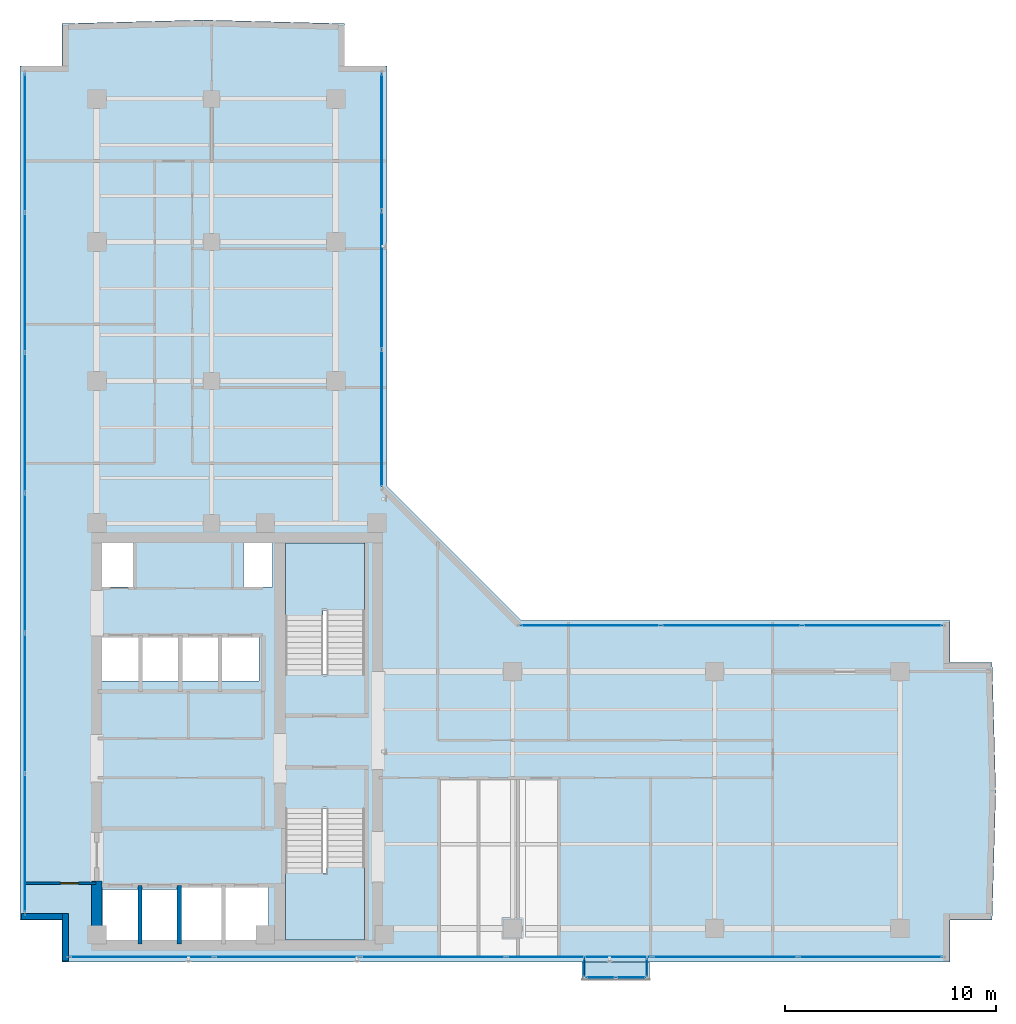
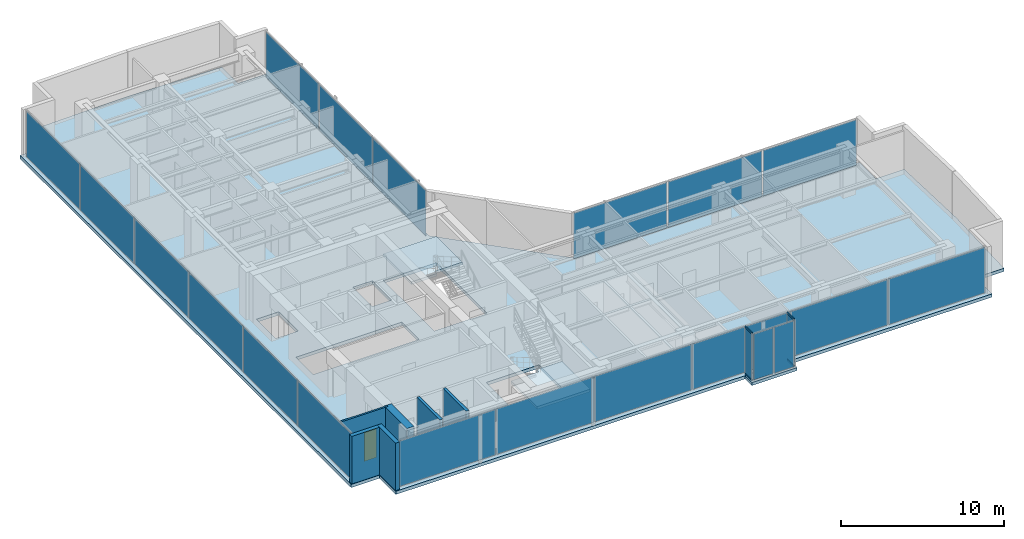
# One storey, part 16 of 22: 22 plates, 6 walls, 4 members, 4 slabs, 1 door, 1 opening, 9 elements without a shape of their own.
"""IFC4 building model written with IfcOpenShell, lengths in metres."""

from ifc_helpers import new_model, si_unit, direction, frame, frame_2d, origin, origin_with_axes, origin_2d, place, context, subcontext, project, spatial, polyline, rectangle, hollow_rectangle, outline, extrude, source, transform, mapped, material, layer, layer_set, material_profile, profile_set, type_object, element, fill, aggregate, save


model = new_model("IFC4")

# Units and contexts
model_context = context("Model", 3, precision=1e-05, world=origin(), true_north=direction((0.0, 1.0)))
body_context = subcontext(model_context, "Body", "Model", "MODEL_VIEW")
ifc_project = project(units=[si_unit("LENGTHUNIT", "METRE"), si_unit("AREAUNIT", "SQUARE_METRE"), si_unit("VOLUMEUNIT", "CUBIC_METRE"), si_unit("PLANEANGLEUNIT", "RADIAN"), si_unit("MASSUNIT", "GRAM", prefix="KILO")], contexts=[model_context])

# Site, building, storey
site_placement = place(None, origin())
site = spatial("IfcSite", under=ifc_project, at=site_placement, CompositionType="ELEMENT")
building_placement = place(site_placement, origin())
building = spatial("IfcBuilding", under=site, at=building_placement, Name="Kolvaren Waterfront Exchange", CompositionType="ELEMENT")
storey_placement = place(building_placement, frame((0.0, 0.0, 327.39990234375)))
storey = spatial("IfcBuildingStorey", under=building, at=storey_placement, Name="L84", CompositionType="ELEMENT", Elevation=327.39990234375)

# Curtain wall, members
ifc_material_1 = material(Name="Anodised bronze aluminium 6063-T6", Category="aluminium")
ifc_layer_1 = layer(ifc_material_1, 0.219970703125, Name="Anodised bronze aluminium 6063-T6")
ifc_layer_set_1 = layer_set([ifc_layer_1], Name="Anodised bronze aluminium 6063-T6")
curtain_wall_type_1 = type_object("IfcCurtainWallType", Name="ARC-CW-SYS3", PredefinedType="USERDEFINED", material=ifc_layer_set_1)
curtain_wall_1_placement = place(storey_placement, origin())
curtain_wall_1 = element("IfcCurtainWall", 1, at=curtain_wall_1_placement, inside=storey, type_object=curtain_wall_type_1, Name="L84 stick curtain wall CW3 (CW-L84-BOX-W)", ObjectType="STICK CURTAIN WALL", PredefinedType="USERDEFINED")
ifc_material_profile = material_profile(ifc_material_1, hollow_rectangle(XDim=0.06494140625, YDim=0.1298828125, WallThickness=0.00390625, at=origin_2d()), Name="ALU-TRN-130x65x4")
ifc_profile_set = profile_set([ifc_material_profile], Name="Anodised bronze aluminium 6063-T6")
member_type = type_object("IfcMemberType", Name="ARC-CWT-130", PredefinedType="USERDEFINED", material=ifc_profile_set)
shared_shape_1 = source(origin_with_axes(), body_context, "Body", "SweptSolid", [
    extrude(hollow_rectangle(XDim=0.06494140625, YDim=0.1298828125, WallThickness=0.00390625, at=origin_2d()), origin(), (0.0, 0.0, 1.0), 0.829833984375),
])
member_1_placement = place(storey_placement, frame((30.610107421875, 3.764892578125, 0.03271484375), z_axis=(0.0, -1.0, 0.0), x_axis=(1.0, 0.0, 0.0)))
member_1 = element("IfcMember", 2, at=member_1_placement, type_object=member_type, Name="CW3 transom 1.1", ObjectType="TRANSOM", PredefinedType="USERDEFINED", context=body_context, shape_type="MappedRepresentation", body=[
    mapped(shared_shape_1, transform((0.0, 0.0, 0.0), x_axis=(1.0, 0.0, 0.0), y_axis=(0.0, 1.0, 0.0), z_axis=(0.0, 0.0, 1.0), scale=1.0)),
])
member_2_placement = place(storey_placement, frame((30.610107421875, 3.764892578125, 3.527587890625), z_axis=(0.0, -1.0, 0.0), x_axis=(1.0, 0.0, 0.0)))
member_2 = element("IfcMember", 3, at=member_2_placement, type_object=member_type, Name="CW3 transom 1.2", ObjectType="TRANSOM", PredefinedType="USERDEFINED", context=body_context, shape_type="MappedRepresentation", body=[
    mapped(shared_shape_1, transform((0.0, 0.0, 0.0), x_axis=(1.0, 0.0, 0.0), y_axis=(0.0, 1.0, 0.0), z_axis=(0.0, 0.0, 1.0), scale=1.0)),
])

curtain_wall_2_placement = place(storey_placement, origin())
curtain_wall_2 = element("IfcCurtainWall", 4, at=curtain_wall_2_placement, inside=storey, type_object=curtain_wall_type_1, Name="L84 stick curtain wall CW3 (CW-L84-BOX-E)", ObjectType="STICK CURTAIN WALL", PredefinedType="USERDEFINED")
member_3_placement = place(storey_placement, frame((33.590087890625, 2.93505859375, 0.03271484375), z_axis=(0.0, 1.0, 0.0), x_axis=(-1.0, 0.0, 0.0)))
member_3 = element("IfcMember", 5, at=member_3_placement, type_object=member_type, Name="CW3 transom 1.1", ObjectType="TRANSOM", PredefinedType="USERDEFINED", context=body_context, shape_type="MappedRepresentation", body=[
    mapped(shared_shape_1, transform((0.0, 0.0, 0.0), x_axis=(1.0, 0.0, 0.0), y_axis=(0.0, 1.0, 0.0), z_axis=(0.0, 0.0, 1.0), scale=1.0)),
])
member_4_placement = place(storey_placement, frame((33.590087890625, 2.93505859375, 3.527587890625), z_axis=(0.0, 1.0, 0.0), x_axis=(-1.0, 0.0, 0.0)))
member_4 = element("IfcMember", 6, at=member_4_placement, type_object=member_type, Name="CW3 transom 1.2", ObjectType="TRANSOM", PredefinedType="USERDEFINED", context=body_context, shape_type="MappedRepresentation", body=[
    mapped(shared_shape_1, transform((0.0, 0.0, 0.0), x_axis=(1.0, 0.0, 0.0), y_axis=(0.0, 1.0, 0.0), z_axis=(0.0, 0.0, 1.0), scale=1.0)),
])

# Stair, slab
ifc_material_2 = material(Name="Concrete C40/50", Category="concrete")
stair_type = type_object("IfcStairType", Name="ARC-STAIR-3800", PredefinedType="HALF_TURN_STAIR", material=ifc_material_2)
stair_1_placement = place(storey_placement, origin())
stair_1 = element("IfcStair", 7, at=stair_1_placement, inside=storey, type_object=stair_type, Name="L84 Smoke-proof exit stair ST1", PredefinedType="HALF_TURN_STAIR")
ifc_layer_2 = layer(ifc_material_2, 0.199951171875, Name="Concrete C40/50")
ifc_layer_set_2 = layer_set([ifc_layer_2], Name="Concrete C40/50")
slab_type_1 = type_object("IfcSlabType", Name="STR-LANDING-200", PredefinedType="LANDING", material=ifc_layer_set_2)
slab_1_placement = place(storey_placement, frame((0.0, 0.0, 1.776123046875)))
slab_1 = element("IfcSlab", 8, at=slab_1_placement, type_object=slab_type_1, Name="ST1 landing 1", PredefinedType="LANDING", context=body_context, shape_type="SweptSolid", body=[
    extrude(outline(polyline([(16.39990234375, 7.840087890625), (16.39990234375, 4.64990234375), (20.159912109375, 4.64990234375), (20.159912109375, 8.10009765625), (18.360107421875, 8.10009765625), (18.360107421875, 7.840087890625), (16.39990234375, 7.840087890625)])), origin(), (0.0, 0.0, 1.0), 0.199951171875),
])
aggregate(stair_1, [slab_1])

stair_2_placement = place(storey_placement, origin())
stair_2 = element("IfcStair", 9, at=stair_2_placement, inside=storey, type_object=stair_type, Name="L84 Smoke-proof exit stair ST2", PredefinedType="HALF_TURN_STAIR")
slab_2_placement = place(storey_placement, frame((0.0, 0.0, 1.776123046875)))
slab_2 = element("IfcSlab", 10, at=slab_2_placement, type_object=slab_type_1, Name="ST2 landing 1", PredefinedType="LANDING", context=body_context, shape_type="SweptSolid", body=[
    extrude(outline(polyline([(20.159912109375, 20.31005859375), (20.159912109375, 23.5), (16.39990234375, 23.5), (16.39990234375, 20.050048828125), (18.199951171875, 20.050048828125), (18.199951171875, 20.31005859375), (20.159912109375, 20.31005859375)])), origin(), (0.0, 0.0, 1.0), 0.199951171875),
])
aggregate(stair_2, [slab_2])

# Slabs
ifc_layer_3 = layer(ifc_material_2, 0.239990234375, Name="Concrete C40/50")
ifc_layer_set_3 = layer_set([ifc_layer_3], Name="Concrete C40/50")
slab_type_2 = type_object("IfcSlabType", Name="STR-SLAB-240", PredefinedType="FLOOR", material=ifc_layer_set_3)
slab_3_placement = place(storey_placement, frame((0.0, 0.0, -0.239990234375)))
element("IfcSlab", 11, at=slab_3_placement, inside=storey, type_object=slab_type_2, Name="L84 structural floor slab", PredefinedType="FLOOR", context=body_context, shape_type="SweptSolid", body=[
    extrude(outline(polyline([(5.800048828125, 3.60009765625), (47.9736328125, 3.60009765625), (47.9736328125, 5.60009765625), (49.9736328125, 5.60009765625), (50.1474609375, 11.71044921875), (49.9736328125, 17.821044921875), (47.9736328125, 17.821044921875), (47.9736328125, 19.821044921875), (27.62109375, 19.821044921875), (21.22119140625, 26.22119140625), (21.22119140625, 46.173583984375), (19.22119140625, 46.173583984375), (19.22119140625, 48.173583984375), (12.510498046875, 48.347412109375), (5.800048828125, 48.173583984375), (5.800048828125, 46.173583984375), (3.800048828125, 46.173583984375), (3.800048828125, 5.60009765625), (5.800048828125, 5.60009765625), (5.800048828125, 3.60009765625)]), holes=[polyline([(11.320068359375, 7.260009765625), (15.610107421875, 7.260009765625), (15.610107421875, 4.5400390625), (7.719970703125, 4.5400390625), (7.719970703125, 7.06005859375), (11.320068359375, 7.06005859375), (11.320068359375, 7.260009765625)]), polyline([(20.159912109375, 10.89990234375), (20.159912109375, 4.64990234375), (16.39990234375, 4.64990234375), (16.39990234375, 10.89990234375), (20.159912109375, 10.89990234375)]), polyline([(7.669921875, 19.06005859375), (15.159912109375, 19.06005859375), (15.159912109375, 16.93994140625), (7.669921875, 16.93994140625), (7.669921875, 19.06005859375)]), polyline([(16.39990234375, 17.25), (16.39990234375, 23.5), (20.159912109375, 23.5), (20.159912109375, 17.25), (16.39990234375, 17.25)]), polyline([(7.60009765625, 23.780029296875), (9.179931640625, 23.780029296875), (9.179931640625, 21.419921875), (7.60009765625, 21.419921875), (7.60009765625, 23.780029296875)]), polyline([(14.419921875, 23.780029296875), (15.800048828125, 23.780029296875), (15.800048828125, 21.419921875), (14.419921875, 21.419921875), (14.419921875, 23.780029296875)])]), origin(), (0.0, 0.0, 1.0), 0.239990234375),
])
ifc_layer_4 = layer(ifc_material_2, 0.219970703125, Name="Concrete C40/50")
ifc_layer_set_4 = layer_set([ifc_layer_4], Name="Concrete C40/50")
slab_type_3 = type_object("IfcSlabType", Name="STR-TERR-220", PredefinedType="FLOOR", material=ifc_layer_set_4)
slab_4_placement = place(storey_placement, frame((0.0, 0.0, -0.219970703125)))
element("IfcSlab", 12, at=slab_4_placement, inside=storey, type_object=slab_type_3, Name="L84 projecting bay-box floor strip", PredefinedType="FLOOR", context=body_context, shape_type="SweptSolid", body=[
    extrude(outline(polyline([(30.5, 2.75), (33.699951171875, 2.75), (33.699951171875, 3.60009765625), (30.5, 3.60009765625), (30.5, 2.75)])), origin(), (0.0, 0.0, 1.0), 0.219970703125),
])

# Plate
ifc_material_3 = material(Name="Bronze tinted bay-box vision glass", Category="aluminium")
ifc_layer_5 = layer(ifc_material_3, 0.02392578125, Name="Bronze tinted bay-box vision glass")
ifc_layer_set_5 = layer_set([ifc_layer_5], Name="Bronze tinted bay-box vision glass")
plate_type_1 = type_object("IfcPlateType", Name="ARC-CWP-24", PredefinedType="CURTAIN_PANEL", material=ifc_layer_set_5)
shared_shape_2 = source(origin_with_axes(), body_context, "Body", "SweptSolid", [
    extrude(rectangle(XDim=0.830078125, YDim=0.02392578125, at=origin_2d()), origin(), (0.0, 0.0, 1.0), 3.429931640625),
])
plate_1_placement = place(storey_placement, frame((30.610107421875, 3.35009765625, 0.06494140625), z_axis=(0.0, 0.0, 1.0), x_axis=(0.0, -1.0, 0.0)))
plate_1 = element("IfcPlate", 13, at=plate_1_placement, type_object=plate_type_1, Name="CW3 panel 1.1", PredefinedType="CURTAIN_PANEL", context=body_context, shape_type="MappedRepresentation", body=[
    mapped(shared_shape_2, transform((0.0, 0.0, 0.0), x_axis=(1.0, 0.0, 0.0), y_axis=(0.0, 1.0, 0.0), z_axis=(0.0, 0.0, 1.0), scale=1.0)),
])

aggregate(curtain_wall_1, [member_1, member_2, plate_1])

plate_2_placement = place(storey_placement, frame((33.590087890625, 3.35009765625, 0.06494140625), z_axis=(0.0, 0.0, 1.0), x_axis=(0.0, 1.0, 0.0)))
plate_2 = element("IfcPlate", 14, at=plate_2_placement, type_object=plate_type_1, Name="CW3 panel 1.1", PredefinedType="CURTAIN_PANEL", context=body_context, shape_type="MappedRepresentation", body=[
    mapped(shared_shape_2, transform((0.0, 0.0, 0.0), x_axis=(1.0, 0.0, 0.0), y_axis=(0.0, 1.0, 0.0), z_axis=(0.0, 0.0, 1.0), scale=1.0)),
])

aggregate(curtain_wall_2, [member_3, member_4, plate_2])

# Curtain wall, plates
curtain_wall_3_placement = place(storey_placement, origin())
curtain_wall_3 = element("IfcCurtainWall", 15, at=curtain_wall_3_placement, inside=storey, type_object=curtain_wall_type_1, Name="L84 stick curtain wall CW3 (CW-L84-BOX)", ObjectType="STICK CURTAIN WALL", PredefinedType="USERDEFINED")
shared_shape_3 = source(origin_with_axes(), body_context, "Body", "SweptSolid", [
    extrude(rectangle(XDim=1.37744140625, YDim=0.02392578125, at=origin_2d()), origin(), (0.0, 0.0, 1.0), 3.429931640625),
])
plate_3_placement = place(storey_placement, frame((31.373779296875, 2.860107421875, 0.06494140625), z_axis=(0.0, 0.0, 1.0), x_axis=(1.0, 0.0, 0.0)))
plate_3 = element("IfcPlate", 16, at=plate_3_placement, type_object=plate_type_1, Name="CW3 panel 1.1", PredefinedType="CURTAIN_PANEL", context=body_context, shape_type="MappedRepresentation", body=[
    mapped(shared_shape_3, transform((0.0, 0.0, 0.0), x_axis=(1.0, 0.0, 0.0), y_axis=(0.0, 1.0, 0.0), z_axis=(0.0, 0.0, 1.0), scale=1.0)),
])
plate_4_placement = place(storey_placement, frame((32.826171875, 2.860107421875, 0.06494140625), z_axis=(0.0, 0.0, 1.0), x_axis=(1.0, 0.0, 0.0)))
plate_4 = element("IfcPlate", 17, at=plate_4_placement, type_object=plate_type_1, Name="CW3 panel 2.1", PredefinedType="CURTAIN_PANEL", context=body_context, shape_type="MappedRepresentation", body=[
    mapped(shared_shape_3, transform((0.0, 0.0, 0.0), x_axis=(1.0, 0.0, 0.0), y_axis=(0.0, 1.0, 0.0), z_axis=(0.0, 0.0, 1.0), scale=1.0)),
])
aggregate(curtain_wall_3, [plate_3, plate_4])

ifc_layer_6 = layer(ifc_material_1, 0.219970703125, Name="Anodised bronze aluminium 6063-T6")
ifc_layer_set_6 = layer_set([ifc_layer_6], Name="Anodised bronze aluminium 6063-T6")
curtain_wall_type_2 = type_object("IfcCurtainWallType", Name="ARC-CW-SYS1", PredefinedType="USERDEFINED", material=ifc_layer_set_6)
curtain_wall_4_placement = place(storey_placement, origin())
curtain_wall_4 = element("IfcCurtainWall", 18, at=curtain_wall_4_placement, inside=storey, type_object=curtain_wall_type_2, Name="L84 stick curtain wall CW1 (CW-L84-S)", ObjectType="STICK CURTAIN WALL", PredefinedType="USERDEFINED")
ifc_material_4 = material(Name="Bronze solar control vision glass", Category="aluminium")
ifc_layer_7 = layer(ifc_material_4, 0.028076171875, Name="Bronze solar control vision glass")
ifc_layer_set_7 = layer_set([ifc_layer_7], Name="Bronze solar control vision glass")
plate_type_2 = type_object("IfcPlateType", Name="ARC-CWP-28", PredefinedType="CURTAIN_PANEL", material=ifc_layer_set_7)
shared_shape_4 = source(origin_with_axes(), body_context, "Body", "SweptSolid", [
    extrude(rectangle(XDim=6.808837890625, YDim=0.028076171875, at=origin_2d()), origin(), (0.0, 0.0, 1.0), 3.409912109375),
])
plate_5_placement = place(storey_placement, frame((9.58447265625, 3.840087890625, 0.0751953125), z_axis=(0.0, 0.0, 1.0), x_axis=(1.0, 0.0, 0.0)))
plate_5 = element("IfcPlate", 19, at=plate_5_placement, type_object=plate_type_2, Name="CW1 panel 1.1", PredefinedType="CURTAIN_PANEL", context=body_context, shape_type="MappedRepresentation", body=[
    mapped(shared_shape_4, transform((0.0, 0.0, 0.0), x_axis=(1.0, 0.0, 0.0), y_axis=(0.0, 1.0, 0.0), z_axis=(0.0, 0.0, 1.0), scale=1.0)),
])
plate_6_placement = place(storey_placement, frame((44.189208984375, 3.840087890625, 0.0751953125), z_axis=(0.0, 0.0, 1.0), x_axis=(1.0, 0.0, 0.0)))
plate_6 = element("IfcPlate", 20, at=plate_6_placement, type_object=plate_type_2, Name="CW1 panel 6.1", PredefinedType="CURTAIN_PANEL", context=body_context, shape_type="MappedRepresentation", body=[
    mapped(shared_shape_4, transform((0.0, 0.0, 0.0), x_axis=(1.0, 0.0, 0.0), y_axis=(0.0, 1.0, 0.0), z_axis=(0.0, 0.0, 1.0), scale=1.0)),
])
shared_shape_5 = source(origin_with_axes(), body_context, "Body", "SweptSolid", [
    extrude(rectangle(XDim=6.848876953125, YDim=0.028076171875, at=origin_2d()), origin(), (0.0, 0.0, 1.0), 3.409912109375),
])
plate_7_placement = place(storey_placement, frame((16.493408203125, 3.840087890625, 0.0751953125), z_axis=(0.0, 0.0, 1.0), x_axis=(1.0, 0.0, 0.0)))
plate_7 = element("IfcPlate", 21, at=plate_7_placement, type_object=plate_type_2, Name="CW1 panel 2.1", PredefinedType="CURTAIN_PANEL", context=body_context, shape_type="MappedRepresentation", body=[
    mapped(shared_shape_5, transform((0.0, 0.0, 0.0), x_axis=(1.0, 0.0, 0.0), y_axis=(0.0, 1.0, 0.0), z_axis=(0.0, 0.0, 1.0), scale=1.0)),
])
plate_8_placement = place(storey_placement, frame((23.42236328125, 3.840087890625, 0.0751953125), z_axis=(0.0, 0.0, 1.0), x_axis=(1.0, 0.0, 0.0)))
plate_8 = element("IfcPlate", 22, at=plate_8_placement, type_object=plate_type_2, Name="CW1 panel 3.1", PredefinedType="CURTAIN_PANEL", context=body_context, shape_type="MappedRepresentation", body=[
    mapped(shared_shape_5, transform((0.0, 0.0, 0.0), x_axis=(1.0, 0.0, 0.0), y_axis=(0.0, 1.0, 0.0), z_axis=(0.0, 0.0, 1.0), scale=1.0)),
])
plate_9_placement = place(storey_placement, frame((30.351318359375, 3.840087890625, 0.0751953125), z_axis=(0.0, 0.0, 1.0), x_axis=(1.0, 0.0, 0.0)))
plate_9 = element("IfcPlate", 23, at=plate_9_placement, type_object=plate_type_2, Name="CW1 panel 4.1", PredefinedType="CURTAIN_PANEL", context=body_context, shape_type="MappedRepresentation", body=[
    mapped(shared_shape_5, transform((0.0, 0.0, 0.0), x_axis=(1.0, 0.0, 0.0), y_axis=(0.0, 1.0, 0.0), z_axis=(0.0, 0.0, 1.0), scale=1.0)),
])
plate_10_placement = place(storey_placement, frame((37.2802734375, 3.840087890625, 0.0751953125), z_axis=(0.0, 0.0, 1.0), x_axis=(1.0, 0.0, 0.0)))
plate_10 = element("IfcPlate", 24, at=plate_10_placement, type_object=plate_type_2, Name="CW1 panel 5.1", PredefinedType="CURTAIN_PANEL", context=body_context, shape_type="MappedRepresentation", body=[
    mapped(shared_shape_5, transform((0.0, 0.0, 0.0), x_axis=(1.0, 0.0, 0.0), y_axis=(0.0, 1.0, 0.0), z_axis=(0.0, 0.0, 1.0), scale=1.0)),
])
aggregate(curtain_wall_4, [plate_5, plate_7, plate_8, plate_9, plate_10, plate_6])

ifc_material_5 = material(Name="Anodised aluminium 6063-T6", Category="aluminium")
ifc_layer_8 = layer(ifc_material_5, 0.219970703125, Name="Anodised aluminium 6063-T6")
ifc_layer_set_8 = layer_set([ifc_layer_8], Name="Anodised aluminium 6063-T6")
curtain_wall_type_3 = type_object("IfcCurtainWallType", Name="ARC-CW-SYS2", PredefinedType="USERDEFINED", material=ifc_layer_set_8)
curtain_wall_5_placement = place(storey_placement, origin())
curtain_wall_5 = element("IfcCurtainWall", 25, at=curtain_wall_5_placement, inside=storey, type_object=curtain_wall_type_3, Name="L84 stick curtain wall CW2 (CW-L84-W)", ObjectType="STICK CURTAIN WALL", PredefinedType="USERDEFINED")
ifc_material_6 = material(Name="Acoustic laminated vision glass", Category="glass")
ifc_layer_9 = layer(ifc_material_6, 0.031982421875, Name="Acoustic laminated vision glass")
ifc_layer_set_9 = layer_set([ifc_layer_9], Name="Acoustic laminated vision glass")
plate_type_3 = type_object("IfcPlateType", Name="ARC-CWP-32", PredefinedType="CURTAIN_PANEL", material=ifc_layer_set_9)
shared_shape_6 = source(origin_with_axes(), body_context, "Body", "SweptSolid", [
    extrude(rectangle(XDim=6.542236328125, YDim=0.031982421875, at=origin_2d()), origin(), (0.0, 0.0, 1.0), 3.409912109375),
])
plate_11_placement = place(storey_placement, frame((4.0400390625, 9.251220703125, 0.0751953125), z_axis=(0.0, 0.0, 1.0), x_axis=(0.0, 1.0, 0.0)))
plate_11 = element("IfcPlate", 26, at=plate_11_placement, type_object=plate_type_3, Name="CW2 panel 1.1", PredefinedType="CURTAIN_PANEL", context=body_context, shape_type="MappedRepresentation", body=[
    mapped(shared_shape_6, transform((0.0, 0.0, 0.0), x_axis=(1.0, 0.0, 0.0), y_axis=(0.0, 1.0, 0.0), z_axis=(0.0, 0.0, 1.0), scale=1.0)),
])
plate_12_placement = place(storey_placement, frame((4.0400390625, 42.5224609375, 0.0751953125), z_axis=(0.0, 0.0, 1.0), x_axis=(0.0, 1.0, 0.0)))
plate_12 = element("IfcPlate", 27, at=plate_12_placement, type_object=plate_type_3, Name="CW2 panel 6.1", PredefinedType="CURTAIN_PANEL", context=body_context, shape_type="MappedRepresentation", body=[
    mapped(shared_shape_6, transform((0.0, 0.0, 0.0), x_axis=(1.0, 0.0, 0.0), y_axis=(0.0, 1.0, 0.0), z_axis=(0.0, 0.0, 1.0), scale=1.0)),
])
shared_shape_7 = source(origin_with_axes(), body_context, "Body", "SweptSolid", [
    extrude(rectangle(XDim=6.582275390625, YDim=0.031982421875, at=origin_2d()), origin(), (0.0, 0.0, 1.0), 3.409912109375),
])
plate_13_placement = place(storey_placement, frame((4.0400390625, 15.893310546875, 0.0751953125), z_axis=(0.0, 0.0, 1.0), x_axis=(0.0, 1.0, 0.0)))
plate_13 = element("IfcPlate", 28, at=plate_13_placement, type_object=plate_type_3, Name="CW2 panel 2.1", PredefinedType="CURTAIN_PANEL", context=body_context, shape_type="MappedRepresentation", body=[
    mapped(shared_shape_7, transform((0.0, 0.0, 0.0), x_axis=(1.0, 0.0, 0.0), y_axis=(0.0, 1.0, 0.0), z_axis=(0.0, 0.0, 1.0), scale=1.0)),
])
plate_14_placement = place(storey_placement, frame((4.0400390625, 22.5556640625, 0.0751953125), z_axis=(0.0, 0.0, 1.0), x_axis=(0.0, 1.0, 0.0)))
plate_14 = element("IfcPlate", 29, at=plate_14_placement, type_object=plate_type_3, Name="CW2 panel 3.1", PredefinedType="CURTAIN_PANEL", context=body_context, shape_type="MappedRepresentation", body=[
    mapped(shared_shape_7, transform((0.0, 0.0, 0.0), x_axis=(1.0, 0.0, 0.0), y_axis=(0.0, 1.0, 0.0), z_axis=(0.0, 0.0, 1.0), scale=1.0)),
])
plate_15_placement = place(storey_placement, frame((4.0400390625, 29.218017578125, 0.0751953125), z_axis=(0.0, 0.0, 1.0), x_axis=(0.0, 1.0, 0.0)))
plate_15 = element("IfcPlate", 30, at=plate_15_placement, type_object=plate_type_3, Name="CW2 panel 4.1", PredefinedType="CURTAIN_PANEL", context=body_context, shape_type="MappedRepresentation", body=[
    mapped(shared_shape_7, transform((0.0, 0.0, 0.0), x_axis=(1.0, 0.0, 0.0), y_axis=(0.0, 1.0, 0.0), z_axis=(0.0, 0.0, 1.0), scale=1.0)),
])
plate_16_placement = place(storey_placement, frame((4.0400390625, 35.88037109375, 0.0751953125), z_axis=(0.0, 0.0, 1.0), x_axis=(0.0, 1.0, 0.0)))
plate_16 = element("IfcPlate", 31, at=plate_16_placement, type_object=plate_type_3, Name="CW2 panel 5.1", PredefinedType="CURTAIN_PANEL", context=body_context, shape_type="MappedRepresentation", body=[
    mapped(shared_shape_7, transform((0.0, 0.0, 0.0), x_axis=(1.0, 0.0, 0.0), y_axis=(0.0, 1.0, 0.0), z_axis=(0.0, 0.0, 1.0), scale=1.0)),
])
aggregate(curtain_wall_5, [plate_11, plate_13, plate_14, plate_15, plate_16, plate_12])

curtain_wall_6_placement = place(storey_placement, origin())
curtain_wall_6 = element("IfcCurtainWall", 32, at=curtain_wall_6_placement, inside=storey, type_object=curtain_wall_type_2, Name="L84 stick curtain wall CW1 (CW-L84-NE)", ObjectType="STICK CURTAIN WALL", PredefinedType="USERDEFINED")
shared_shape_8 = source(origin_with_axes(), body_context, "Body", "SweptSolid", [
    extrude(rectangle(XDim=6.467529296875, YDim=0.028076171875, at=origin_2d()), origin(), (0.0, 0.0, 1.0), 3.409912109375),
])
plate_17_placement = place(storey_placement, frame((20.981201171875, 29.4248046875, 0.0751953125), z_axis=(0.0, 0.0, 1.0), x_axis=(0.0, 1.0, 0.0)))
plate_17 = element("IfcPlate", 33, at=plate_17_placement, type_object=plate_type_2, Name="CW1 panel 1.1", PredefinedType="CURTAIN_PANEL", context=body_context, shape_type="MappedRepresentation", body=[
    mapped(shared_shape_8, transform((0.0, 0.0, 0.0), x_axis=(1.0, 0.0, 0.0), y_axis=(0.0, 1.0, 0.0), z_axis=(0.0, 0.0, 1.0), scale=1.0)),
])
plate_18_placement = place(storey_placement, frame((20.981201171875, 42.559814453125, 0.0751953125), z_axis=(0.0, 0.0, 1.0), x_axis=(0.0, 1.0, 0.0)))
plate_18 = element("IfcPlate", 34, at=plate_18_placement, type_object=plate_type_2, Name="CW1 panel 3.1", PredefinedType="CURTAIN_PANEL", context=body_context, shape_type="MappedRepresentation", body=[
    mapped(shared_shape_8, transform((0.0, 0.0, 0.0), x_axis=(1.0, 0.0, 0.0), y_axis=(0.0, 1.0, 0.0), z_axis=(0.0, 0.0, 1.0), scale=1.0)),
])
shared_shape_9 = source(origin_with_axes(), body_context, "Body", "SweptSolid", [
    extrude(rectangle(XDim=6.507568359375, YDim=0.028076171875, at=origin_2d()), origin(), (0.0, 0.0, 1.0), 3.409912109375),
])
plate_19_placement = place(storey_placement, frame((20.981201171875, 35.992431640625, 0.0751953125), z_axis=(0.0, 0.0, 1.0), x_axis=(0.0, 1.0, 0.0)))
plate_19 = element("IfcPlate", 35, at=plate_19_placement, type_object=plate_type_2, Name="CW1 panel 2.1", PredefinedType="CURTAIN_PANEL", context=body_context, shape_type="MappedRepresentation", body=[
    mapped(shared_shape_9, transform((0.0, 0.0, 0.0), x_axis=(1.0, 0.0, 0.0), y_axis=(0.0, 1.0, 0.0), z_axis=(0.0, 0.0, 1.0), scale=1.0)),
])
aggregate(curtain_wall_6, [plate_17, plate_19, plate_18])

curtain_wall_7_placement = place(storey_placement, origin())
curtain_wall_7 = element("IfcCurtainWall", 36, at=curtain_wall_7_placement, inside=storey, type_object=curtain_wall_type_2, Name="L84 stick curtain wall CW1 (CW-L84-EN)", ObjectType="STICK CURTAIN WALL", PredefinedType="USERDEFINED")
shared_shape_10 = source(origin_with_axes(), body_context, "Body", "SweptSolid", [
    extrude(rectangle(XDim=6.600830078125, YDim=0.028076171875, at=origin_2d()), origin(), (0.0, 0.0, 1.0), 3.409912109375),
])
plate_20_placement = place(storey_placement, frame((30.8916015625, 19.5810546875, 0.0751953125), z_axis=(0.0, 0.0, 1.0), x_axis=(1.0, 0.0, 0.0)))
plate_20 = element("IfcPlate", 37, at=plate_20_placement, type_object=plate_type_2, Name="CW1 panel 1.1", PredefinedType="CURTAIN_PANEL", context=body_context, shape_type="MappedRepresentation", body=[
    mapped(shared_shape_10, transform((0.0, 0.0, 0.0), x_axis=(1.0, 0.0, 0.0), y_axis=(0.0, 1.0, 0.0), z_axis=(0.0, 0.0, 1.0), scale=1.0)),
])
plate_21_placement = place(storey_placement, frame((44.293212890625, 19.5810546875, 0.0751953125), z_axis=(0.0, 0.0, 1.0), x_axis=(1.0, 0.0, 0.0)))
plate_21 = element("IfcPlate", 38, at=plate_21_placement, type_object=plate_type_2, Name="CW1 panel 3.1", PredefinedType="CURTAIN_PANEL", context=body_context, shape_type="MappedRepresentation", body=[
    mapped(shared_shape_10, transform((0.0, 0.0, 0.0), x_axis=(1.0, 0.0, 0.0), y_axis=(0.0, 1.0, 0.0), z_axis=(0.0, 0.0, 1.0), scale=1.0)),
])
shared_shape_11 = source(origin_with_axes(), body_context, "Body", "SweptSolid", [
    extrude(rectangle(XDim=6.640869140625, YDim=0.028076171875, at=origin_2d()), origin(), (0.0, 0.0, 1.0), 3.409912109375),
])
plate_22_placement = place(storey_placement, frame((37.59228515625, 19.5810546875, 0.0751953125), z_axis=(0.0, 0.0, 1.0), x_axis=(1.0, 0.0, 0.0)))
plate_22 = element("IfcPlate", 39, at=plate_22_placement, type_object=plate_type_2, Name="CW1 panel 2.1", PredefinedType="CURTAIN_PANEL", context=body_context, shape_type="MappedRepresentation", body=[
    mapped(shared_shape_11, transform((0.0, 0.0, 0.0), x_axis=(1.0, 0.0, 0.0), y_axis=(0.0, 1.0, 0.0), z_axis=(0.0, 0.0, 1.0), scale=1.0)),
])
aggregate(curtain_wall_7, [plate_20, plate_22, plate_21])

# Walls
ifc_material_7 = material(Name="Precast concrete C40/50", Category="concrete")
ifc_layer_10 = layer(ifc_material_7, 0.280029296875, Name="Precast concrete C40/50")
ifc_layer_set_10 = layer_set([ifc_layer_10], Name="Precast concrete C40/50")
wall_type_1 = type_object("IfcWallType", Name="ARC-EXT-TERR-280", PredefinedType="SOLIDWALL", material=ifc_layer_set_10)
wall_1_placement = place(storey_placement, frame((5.9599609375, 3.659912109375, 0.0), z_axis=(0.0, 0.0, 1.0), x_axis=(0.0, 1.0, 0.0)))
element("IfcWall", 40, at=wall_1_placement, inside=storey, type_object=wall_type_1, Name="L84 notched corner spandrel pier SW-A", PredefinedType="SOLIDWALL", context=body_context, shape_type="SweptSolid", body=[
    extrude(rectangle(XDim=2.239990234375, YDim=0.280029296875, at=frame_2d((1.1201171875, 0.0))), origin(), (0.0, 0.0, 1.0), 3.56005859375),
])
wall_2_placement = place(storey_placement, frame((3.860107421875, 5.760009765625, 0.0), z_axis=(0.0, 0.0, 1.0), x_axis=(1.0, 0.0, 0.0)))
element("IfcWall", 41, at=wall_2_placement, inside=storey, type_object=wall_type_1, Name="L84 notched corner spandrel pier SW-B", PredefinedType="SOLIDWALL", context=body_context, shape_type="SweptSolid", body=[
    extrude(rectangle(XDim=1.9599609375, YDim=0.280029296875, at=frame_2d((0.97998046875, 0.0))), origin(), (0.0, 0.0, 1.0), 3.56005859375),
])

# Wall, opening, door
ifc_material_8 = material(Name="Acoustic gypsum steel stud", Category="steel")
ifc_layer_11 = layer(ifc_material_8, 0.125, Name="Acoustic gypsum steel stud")
ifc_layer_set_11 = layer_set([ifc_layer_11], Name="Acoustic gypsum steel stud")
wall_type_2 = type_object("IfcWallType", Name="ARC-PART-125", PredefinedType="PARTITIONING", material=ifc_layer_set_11)
wall_3_placement = place(storey_placement, frame((4.0400390625, 7.35009765625, 0.0), z_axis=(0.0, 0.0, 1.0), x_axis=(1.0, 0.0, 0.0)))
wall_3 = element("IfcWall", 42, at=wall_3_placement, inside=storey, type_object=wall_type_2, Name="L84 interior wall PW-L84-SWC-N", PredefinedType="PARTITIONING", context=body_context, shape_type="SweptSolid", body=[
    extrude(rectangle(XDim=3.35986328125, YDim=0.125, at=frame_2d((1.679931640625, 0.0))), origin(), (0.0, 0.0, 1.0), 3.56005859375),
])
opening_placement = place(wall_3_placement, frame((1.686767578125, 0.0, 0.0)))
opening = element("IfcOpeningElement", 43, at=opening_placement, cuts=wall_3, Name="Opening D01", PredefinedType="OPENING", context=body_context, shape_type="SweptSolid", body=[
    extrude(rectangle(XDim=0.85009765625, YDim=2.14990234375, at=frame_2d((0.425048828125, 1.074951171875))), frame((0.0, 0.072509765625, 0.0), z_axis=(0.0, -1.0, 0.0), x_axis=(1.0, 0.0, 0.0)), (0.0, 0.0, 1.0), 0.14501953125),
])
ifc_material_9 = material(Name="Oak veneer timber leaf", Category="wood")
door_type = type_object("IfcDoorType", Name="ARC-DR-900", OperationType="NOTDEFINED", PredefinedType="DOOR", material=ifc_material_9)
door_placement = place(opening_placement, origin())
door = element("IfcDoor", 44, at=door_placement, inside=storey, type_object=door_type, Name="L84 door DR-L84-SWC-D (D01)", OperationType="SINGLE_SWING_LEFT", OverallHeight=2.14990234375, OverallWidth=0.85009765625, PredefinedType="DOOR", context=body_context, shape_type="SweptSolid", body=[
    extrude(rectangle(XDim=0.85009765625, YDim=2.14990234375, at=frame_2d((0.425048828125, 1.074951171875))), frame((0.0, 0.02490234375, 0.0), z_axis=(0.0, -1.0, 0.0), x_axis=(1.0, 0.0, 0.0)), (0.0, 0.0, 1.0), 0.050048828125),
])
fill(opening, door)

# Walls
ifc_layer_12 = layer(ifc_material_2, 0.199951171875, Name="Concrete C40/50")
ifc_layer_set_12 = layer_set([ifc_layer_12], Name="Concrete C40/50")
wall_type_3 = type_object("IfcWallType", Name="ARC-SHAFT-200", PredefinedType="PARTITIONING", material=ifc_layer_set_12)
for number, where, z_axis, x_axis, name in (
    (45, (9.5, 4.449951171875, 0.0), (0.0, 0.0, 1.0), (0.0, 1.0, 0.0), "L84 interior wall PW-L84-SH1-DIV-95"),
    (46, (11.360107421875, 4.449951171875, 0.0), (0.0, 0.0, 1.0), (0.0, 1.0, 0.0), "L84 interior wall PW-L84-SH1-DIV-113"),
):
    element("IfcWall", number, at=place(storey_placement, frame(where, z_axis=z_axis, x_axis=x_axis)), inside=storey, type_object=wall_type_3, Name=name, PredefinedType="PARTITIONING", context=body_context, shape_type="SweptSolid", body=[
        extrude(rectangle(XDim=2.800048828125, YDim=0.199951171875, at=frame_2d((1.39990234375, 0.0))), origin(), (0.0, 0.0, 1.0), 3.56005859375),
    ])
ifc_material_10 = material(Name="Concrete C50/60", Category="concrete")
ifc_layer_13 = layer(ifc_material_10, 0.5, Name="Concrete C50/60")
ifc_layer_set_13 = layer_set([ifc_layer_13], Name="Concrete C50/60")
wall_type_4 = type_object("IfcWallType", Name="STR-CWALL-500", PredefinedType="SHEAR", material=ifc_layer_set_13)
wall_4_placement = place(storey_placement, frame((7.449951171875, 4.64990234375, 0.0), z_axis=(0.0, 0.0, 1.0), x_axis=(0.0, 1.0, 0.0)))
element("IfcWall", 47, at=wall_4_placement, inside=storey, type_object=wall_type_4, Name="L84 rear-core shear wall W1", PredefinedType="SHEAR", context=body_context, shape_type="SweptSolid", body=[
    extrude(rectangle(XDim=2.800048828125, YDim=0.5, at=frame_2d((1.39990234375, 0.0))), origin(), (0.0, 0.0, 1.0), 3.56005859375),
])

save(model, "model.ifc")
